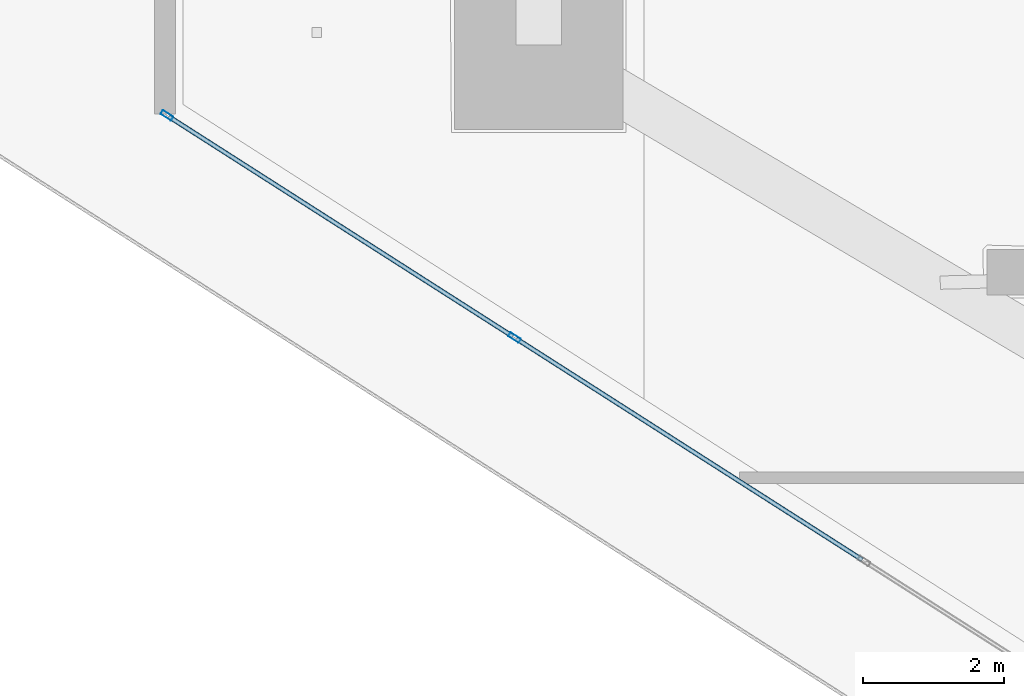
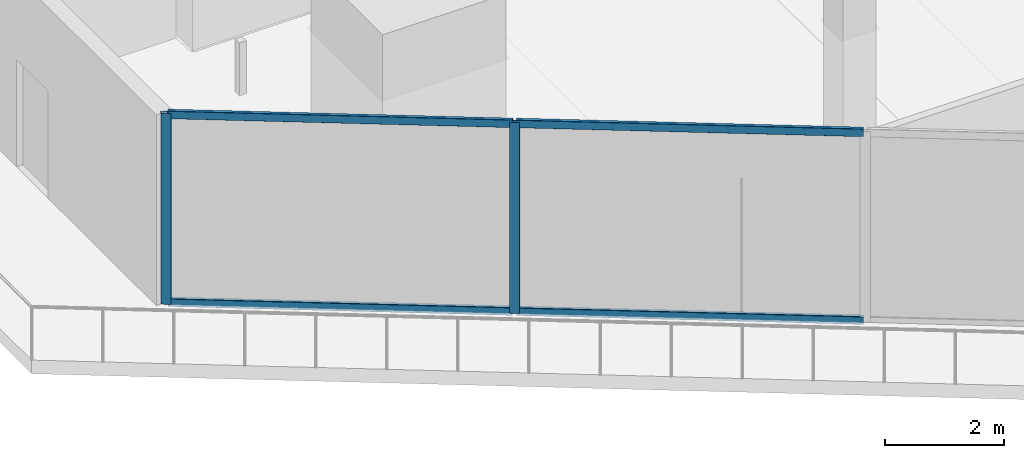
# One storey, part 4 of 44: 6 members, 1 element without a shape of its own.
"""IFC4 building model written with IfcOpenShell, lengths in metres."""

import ifcopenshell
import ifcopenshell.guid

model = None  # the IFC model being written
_history = None  # IfcOwnerHistory: only IFC2X3 demands one
_inside = {}  # id of a spatial element -> (the spatial element, [elements in it])
_under = {}  # id of a project, library or spatial element -> (it, [spatial elements below it])
_declared = {}  # id of a project -> (the project, [libraries it declares])
_typed = {}  # id of a type object -> (the type object, [elements of that type])
_made_of = {}  # id of a material, layer set ... -> (it, [elements and type objects made of it])


def new_model(schema):
    """Start an empty IFC model of exactly this schema.

    Asked for "IFC4X3", IfcOpenShell would pick the latest addendum, in which some entities
    have other attributes; the version numbers below select the first issue.
    IFC2X3 requires an IfcOwnerHistory on every rooted entity: one is made here for all.
    """
    global model, _history
    if schema == "IFC4X3":
        model = ifcopenshell.file(schema_version=(4, 3, 0, 0))
    else:
        model = ifcopenshell.file(schema=schema)
    _inside.clear()
    _under.clear()
    _declared.clear()
    _typed.clear()
    _made_of.clear()
    _history = None
    if model.schema == "IFC2X3":
        org = make("IfcOrganization", Name="unknown")
        user = make(
            "IfcPersonAndOrganization",
            ThePerson=make("IfcPerson", FamilyName="unknown"),
            TheOrganization=org,
        )
        app = make(
            "IfcApplication",
            ApplicationDeveloper=org,
            Version="unknown",
            ApplicationFullName="unknown",
            ApplicationIdentifier="unknown",
        )
        _history = make(
            "IfcOwnerHistory",
            OwningUser=user,
            OwningApplication=app,
            ChangeAction="ADDED",
            CreationDate=0,
        )
    return model


def make(cls, **values):
    """One entity of the class cls with the attributes given. An attribute that is None is left unset."""
    return model.create_entity(
        cls, **{name: value for name, value in values.items() if value is not None}
    )


def rooted(cls, **values):
    """An entity with a GlobalId (a new one), such as an element, a storey or a relation."""
    return make(cls, GlobalId=ifcopenshell.guid.new(), OwnerHistory=_history, **values)


def si_unit(unit_type, name, prefix=None):
    """IfcSIUnit, for example si_unit("LENGTHUNIT", "METRE", prefix="MILLI")."""
    return make("IfcSIUnit", UnitType=unit_type, Prefix=prefix, Name=name)


def assignment(units):
    """IfcUnitAssignment: the units of a project."""
    return None if units is None else make("IfcUnitAssignment", Units=units)


def point(xyz):
    """IfcCartesianPoint."""
    return None if xyz is None else make("IfcCartesianPoint", Coordinates=xyz)


def direction(xyz):
    """IfcDirection."""
    return None if xyz is None else make("IfcDirection", DirectionRatios=xyz)


def frame(location, z_axis=None, x_axis=None):
    """IfcAxis2Placement3D, a coordinate frame: its origin and axes. An axis left out is left unset."""
    return make(
        "IfcAxis2Placement3D",
        Location=point(location),
        Axis=direction(z_axis),
        RefDirection=direction(x_axis),
    )


def frame_2d(location, x_axis=None):
    """IfcAxis2Placement2D, a coordinate frame in the plane: its origin and x axis."""
    return make(
        "IfcAxis2Placement2D", Location=point(location), RefDirection=direction(x_axis)
    )


def origin():
    """The frame at (0, 0, 0) with its axes left unset."""
    return frame((0.0, 0.0, 0.0))


def origin_2d():
    """The frame at (0, 0) in the plane with its x axis left unset."""
    return frame_2d((0.0, 0.0))


def place(relative_to, where):
    """IfcLocalPlacement: puts the frame where relative to a parent placement (None: the world)."""
    return make(
        "IfcLocalPlacement", PlacementRelTo=relative_to, RelativePlacement=where
    )


def context(
    kind, dimensions, precision=None, world=None, true_north=None, identifier=None
):
    """IfcGeometricRepresentationContext, for example the 3D "Model" context."""
    return make(
        "IfcGeometricRepresentationContext",
        ContextIdentifier=identifier,
        ContextType=kind,
        CoordinateSpaceDimension=dimensions,
        Precision=precision,
        WorldCoordinateSystem=world,
        TrueNorth=true_north,
    )


def subcontext(parent, identifier, kind, view, scale=None):
    """IfcGeometricRepresentationSubContext, for example "Body" below "Model"."""
    return make(
        "IfcGeometricRepresentationSubContext",
        ContextIdentifier=identifier,
        ContextType=kind,
        ParentContext=parent,
        TargetScale=scale,
        TargetView=view,
    )


def project(units=None, contexts=None):
    """IfcProject with its units and contexts."""
    return rooted(
        "IfcProject",
        Name="project",
        RepresentationContexts=contexts,
        UnitsInContext=assignment(units),
    )


def spatial(cls, under=None, at=None, **own):
    """A site, building, storey or space (cls), placed at a placement, below another one or the project."""
    s = rooted(cls, ObjectPlacement=at, **own)
    if under is not None:
        _under.setdefault(under.id(), (under, []))[1].append(s)
    return s


def profile(cls, at=None, kind="AREA", **sizes):
    """A parametric profile (cls). Its sizes go by their IFC names, for example OverallWidth=200.0."""
    return make(cls, ProfileType=kind, Position=at, **sizes)


def hollow_rectangle(**sizes):
    """IfcRectangleHollowProfileDef."""
    return profile("IfcRectangleHollowProfileDef", **sizes)


def extrude(swept, where, along, depth):
    """IfcExtrudedAreaSolid: the profile swept, set in the frame where, extruded along a direction by depth."""
    return make(
        "IfcExtrudedAreaSolid",
        SweptArea=swept,
        Position=where,
        ExtrudedDirection=direction(along),
        Depth=depth,
    )


def shape(context_of_items, identifier, shape_type, items):
    """IfcShapeRepresentation: the items that make up one representation, for example the "Body"."""
    return make(
        "IfcShapeRepresentation",
        ContextOfItems=context_of_items,
        RepresentationIdentifier=identifier,
        RepresentationType=shape_type,
        Items=items,
    )


def material(Name=None, Category=None):
    """IfcMaterial."""
    return make("IfcMaterial", Name=Name, Category=Category)


def layer(
    of_material, thickness, ventilated=None, Name=None, Category=None, Priority=None
):
    """IfcMaterialLayer: one layer of a wall or slab, of a material (None: an air gap)."""
    return make(
        "IfcMaterialLayer",
        Material=of_material,
        LayerThickness=thickness,
        IsVentilated=ventilated,
        Name=Name,
        Category=Category,
        Priority=Priority,
    )


def layer_set(layers, Name=None):
    """IfcMaterialLayerSet."""
    return make("IfcMaterialLayerSet", MaterialLayers=layers, LayerSetName=Name)


def material_profile(
    of_material, cross_section, Name=None, Category=None, Priority=None
):
    """IfcMaterialProfile: a cross section and its material."""
    return make(
        "IfcMaterialProfile",
        Name=Name,
        Material=of_material,
        Profile=cross_section,
        Priority=Priority,
        Category=Category,
    )


def profile_set(profiles, Name=None, composite=None):
    """IfcMaterialProfileSet."""
    return make(
        "IfcMaterialProfileSet",
        Name=Name,
        MaterialProfiles=profiles,
        CompositeProfile=composite,
    )


def made_of(thing, what):
    """Note that an element or type object is made of a material, layer set ...; save() writes the relation."""
    if what is not None:
        _made_of.setdefault(what.id(), (what, []))[1].append(thing)
    return thing


def type_object(cls, material=None, **own):
    """A type object (cls), such as IfcWallType, which elements share."""
    return made_of(rooted(cls, **own), material)


def element(
    cls,
    number,
    at=None,
    inside=None,
    cuts=None,
    type_object=None,
    material=None,
    context=None,
    identifier="Body",
    shape_type=None,
    held_by="IfcProductDefinitionShape",
    body=None,
    shapes=None,
    **own,
):
    """One element of the class cls, such as IfcWall. Its Tag is "e" and its number.

    at: its placement. inside: the storey or other place that contains it. cuts: it is an
    opening in that element (IfcRelVoidsElement). A single representation is given by context,
    identifier, shape_type and body (its items); several are given by shapes. held_by: the class
    of the entity that holds the representations. save() writes the other relations.
    """
    e = rooted(cls, Tag="e%d" % number, ObjectPlacement=at, **own)
    if body is not None:
        shapes = [shape(context, identifier, shape_type, body)]
    if shapes is not None:
        e.Representation = make(held_by, Representations=shapes)
    if inside is not None:
        _inside.setdefault(inside.id(), (inside, []))[1].append(e)
    if cuts is not None:
        rooted(
            "IfcRelVoidsElement", RelatingBuildingElement=cuts, RelatedOpeningElement=e
        )
    if type_object is not None:
        _typed.setdefault(type_object.id(), (type_object, []))[1].append(e)
    return made_of(e, material)


def aggregate(whole, parts):
    """IfcRelAggregates: a whole, such as a stair, and the parts it consists of."""
    return rooted("IfcRelAggregates", RelatingObject=whole, RelatedObjects=parts)


def save(model, path):
    """Write the relations noted so far, then the file.

    IfcRelAggregates (storeys below a building ...), IfcRelContainedInSpatialStructure (elements
    in a storey), IfcRelDefinesByType, IfcRelAssociatesMaterial and IfcRelDeclares: one each for
    every whole, place, type object, material and project.
    """
    for whole, parts in _under.values():
        aggregate(whole, parts)
    for where, things in _inside.values():
        rooted(
            "IfcRelContainedInSpatialStructure",
            RelatedElements=things,
            RelatingStructure=where,
        )
    for kind, things in _typed.values():
        rooted("IfcRelDefinesByType", RelatedObjects=things, RelatingType=kind)
    for what, things in _made_of.values():
        rooted("IfcRelAssociatesMaterial", RelatedObjects=things, RelatingMaterial=what)
    for by, libraries in _declared.values():
        rooted("IfcRelDeclares", RelatingContext=by, RelatedDefinitions=libraries)
    model.write(path)


model = new_model("IFC4")

# Units and contexts
model_context = context("Model", 3, precision=1e-05, world=origin(), true_north=direction((0.0, 1.0)))
body_context = subcontext(model_context, "Body", "Model", "MODEL_VIEW")
ifc_project = project(units=[si_unit("LENGTHUNIT", "METRE"), si_unit("AREAUNIT", "SQUARE_METRE"), si_unit("VOLUMEUNIT", "CUBIC_METRE"), si_unit("PLANEANGLEUNIT", "RADIAN"), si_unit("MASSUNIT", "GRAM", prefix="KILO")], contexts=[model_context])

# Site, building, storey
site_placement = place(None, origin())
site = spatial("IfcSite", under=ifc_project, at=site_placement, CompositionType="ELEMENT")
building_placement = place(site_placement, origin())
building = spatial("IfcBuilding", under=site, at=building_placement, Name="Qorvath Tower", CompositionType="ELEMENT")
storey_placement = place(building_placement, frame((0.0, 0.0, 53.39990234375)))
storey = spatial("IfcBuildingStorey", under=building, at=storey_placement, Name="L11", CompositionType="ELEMENT", Elevation=53.39990234375)

# Curtain wall, members
ifc_material_1 = material(Name="Anodised aluminium and triple low-E glass", Category="aluminium")
ifc_layer = layer(ifc_material_1, 0.179931640625)
ifc_layer_set = layer_set([ifc_layer], Name="CW-SYS-2")
curtain_wall_type = type_object("IfcCurtainWallType", Name="CW-SYS-2", PredefinedType="NOTDEFINED", material=ifc_layer_set)
curtain_wall_placement = place(storey_placement, origin())
curtain_wall = element("IfcCurtainWall", 1, at=curtain_wall_placement, inside=storey, type_object=curtain_wall_type, Name="Curtain Wall CW-2 CW-T-L11-2.1", PredefinedType="NOTDEFINED")
ifc_material_2 = material(Name="Anodised aluminium 6063-T6", Category="aluminium")
ifc_material_profile_1 = material_profile(ifc_material_2, hollow_rectangle(XDim=0.06494140625, YDim=0.179931640625, WallThickness=0.00341796875, InnerFilletRadius=0.00341796875, OuterFilletRadius=0.007080078125, at=origin_2d()), Name="CWM 180x65")
ifc_profile_set_1 = profile_set([ifc_material_profile_1], Name="Anodised aluminium 6063-T6")
member_type_1 = type_object("IfcMemberType", Name="CWM-180", PredefinedType="MULLION", material=ifc_profile_set_1)
member_1_placement = place(storey_placement, frame((-60.57373046875, -4.193603515625, 0.0), z_axis=(0.0, 0.0, 1.0), x_axis=(0.538531853978, 0.842605152044, 0.0)))
member_1 = element("IfcMember", 2, at=member_1_placement, type_object=member_type_1, Name="CW-2 mullion 1", PredefinedType="MULLION", context=body_context, shape_type="SweptSolid", body=[
    extrude(hollow_rectangle(XDim=0.06494140625, YDim=0.179931640625, WallThickness=0.00341796875, InnerFilletRadius=0.00341796875, OuterFilletRadius=0.007080078125, at=origin_2d()), origin(), (0.0, 0.0, 1.0), 3.920166015625),
])
member_2_placement = place(storey_placement, frame((-55.62646484375, -7.35546875, 0.0), z_axis=(0.0, 0.0, 1.0), x_axis=(0.538531853978, 0.842605152044, 0.0)))
member_2 = element("IfcMember", 3, at=member_2_placement, type_object=member_type_1, Name="CW-2 mullion 2", PredefinedType="MULLION", context=body_context, shape_type="SweptSolid", body=[
    extrude(hollow_rectangle(XDim=0.06494140625, YDim=0.179931640625, WallThickness=0.00341796875, InnerFilletRadius=0.00341796875, OuterFilletRadius=0.007080078125, at=origin_2d()), origin(), (0.0, 0.0, 1.0), 3.920166015625),
])
ifc_material_3 = material(Name="Anodised aluminium 6063-T6", Category="aluminium")
ifc_material_profile_2 = material_profile(ifc_material_3, hollow_rectangle(XDim=0.06494140625, YDim=0.159912109375, WallThickness=0.00341796875, InnerFilletRadius=0.00341796875, OuterFilletRadius=0.007080078125, at=origin_2d()), Name="CWT 160x65")
ifc_profile_set_2 = profile_set([ifc_material_profile_2], Name="Anodised aluminium 6063-T6")
member_type_2 = type_object("IfcMemberType", Name="CWT-160", PredefinedType="USERDEFINED", material=ifc_profile_set_2)
member_3_placement = place(storey_placement, frame((-60.54638671875, -4.2109375, 0.032470703125), z_axis=(0.842607225398, -0.538528609925, 0.0), x_axis=(0.538528609925, 0.842607225398, 0.0)))
member_3 = element("IfcMember", 4, at=member_3_placement, type_object=member_type_2, Name="CW-2 transom 1.1", ObjectType="TRANSOM", PredefinedType="USERDEFINED", context=body_context, shape_type="SweptSolid", body=[
    extrude(hollow_rectangle(XDim=0.06494140625, YDim=0.159912109375, WallThickness=0.00341796875, InnerFilletRadius=0.00341796875, OuterFilletRadius=0.007080078125, at=origin_2d()), origin(), (0.0, 0.0, 1.0), 5.806396484375),
])
member_4_placement = place(storey_placement, frame((-60.54638671875, -4.2109375, 3.8876953125), z_axis=(0.842607225398, -0.538528609925, 0.0), x_axis=(0.538528609925, 0.842607225398, 0.0)))
member_4 = element("IfcMember", 5, at=member_4_placement, type_object=member_type_2, Name="CW-2 transom 1.2", ObjectType="TRANSOM", PredefinedType="USERDEFINED", context=body_context, shape_type="SweptSolid", body=[
    extrude(hollow_rectangle(XDim=0.06494140625, YDim=0.159912109375, WallThickness=0.00341796875, InnerFilletRadius=0.00341796875, OuterFilletRadius=0.007080078125, at=origin_2d()), origin(), (0.0, 0.0, 1.0), 5.806396484375),
])
member_5_placement = place(storey_placement, frame((-55.59912109375, -7.373046875, 0.032470703125), z_axis=(0.842618260885, -0.538511342891, 0.0), x_axis=(0.538511342891, 0.842618260885, 0.0)))
member_5 = element("IfcMember", 6, at=member_5_placement, type_object=member_type_2, Name="CW-2 transom 2.1", ObjectType="TRANSOM", PredefinedType="USERDEFINED", context=body_context, shape_type="SweptSolid", body=[
    extrude(hollow_rectangle(XDim=0.06494140625, YDim=0.159912109375, WallThickness=0.00341796875, InnerFilletRadius=0.00341796875, OuterFilletRadius=0.007080078125, at=origin_2d()), origin(), (0.0, 0.0, 1.0), 5.8388671875),
])
member_6_placement = place(storey_placement, frame((-55.59912109375, -7.373046875, 3.8876953125), z_axis=(0.842618260885, -0.538511342891, 0.0), x_axis=(0.538511342891, 0.842618260885, 0.0)))
member_6 = element("IfcMember", 7, at=member_6_placement, type_object=member_type_2, Name="CW-2 transom 2.2", ObjectType="TRANSOM", PredefinedType="USERDEFINED", context=body_context, shape_type="SweptSolid", body=[
    extrude(hollow_rectangle(XDim=0.06494140625, YDim=0.159912109375, WallThickness=0.00341796875, InnerFilletRadius=0.00341796875, OuterFilletRadius=0.007080078125, at=origin_2d()), origin(), (0.0, 0.0, 1.0), 5.8388671875),
])
aggregate(curtain_wall, [member_1, member_2, member_3, member_4, member_5, member_6])

save(model, "model.ifc")
